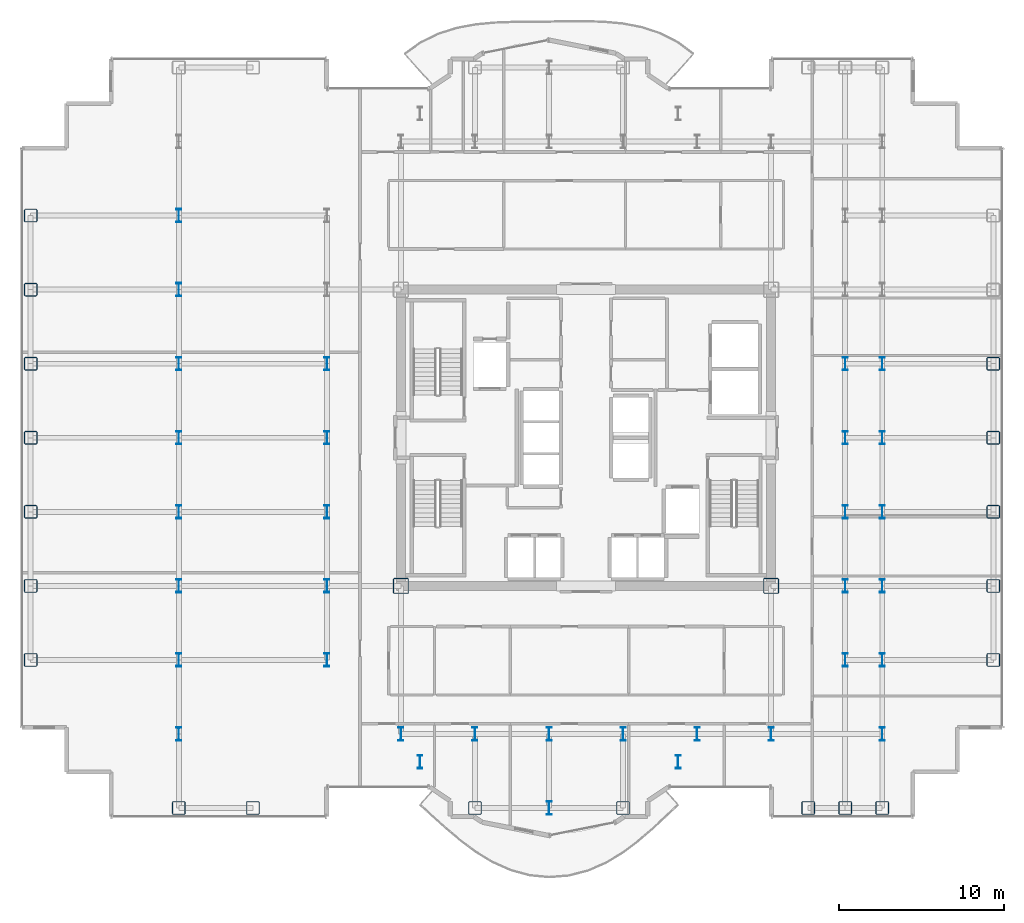
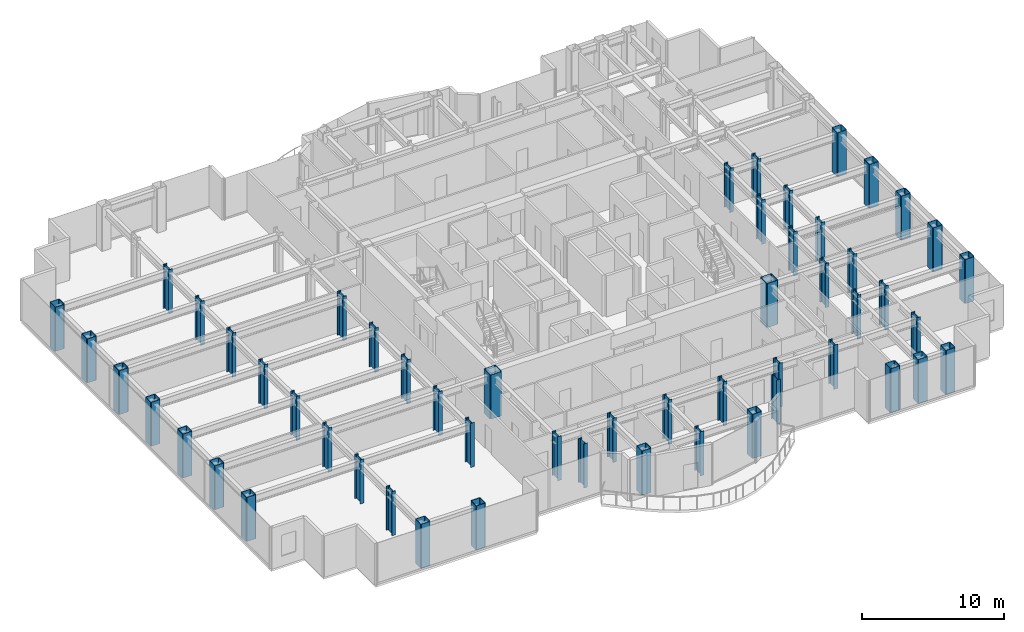
# One storey, part 1 of 23: 54 columns.
"""IFC4 building model written with IfcOpenShell, lengths in metres."""

from ifc_helpers import new_model, si_unit, direction, frame, origin, origin_2d, place, context, subcontext, project, spatial, hollow_rectangle, i_section, extrude, source, transform, mapped, material, material_profile, profile_set, type_object, element, save


model = new_model("IFC4")

# Units and contexts
model_context = context("Model", 3, precision=1e-05, world=origin(), true_north=direction((0.0, 1.0)))
body_context = subcontext(model_context, "Body", "Model", "MODEL_VIEW")
ifc_project = project(units=[si_unit("LENGTHUNIT", "METRE"), si_unit("AREAUNIT", "SQUARE_METRE"), si_unit("VOLUMEUNIT", "CUBIC_METRE"), si_unit("PLANEANGLEUNIT", "RADIAN"), si_unit("MASSUNIT", "GRAM", prefix="KILO")], contexts=[model_context])

# Site, building, storey
site_placement = place(None, origin())
site = spatial("IfcSite", under=ifc_project, at=site_placement, CompositionType="ELEMENT")
building_placement = place(site_placement, origin())
building = spatial("IfcBuilding", under=site, at=building_placement, Name="Nefas-Gora Pilgrimage Tower", CompositionType="ELEMENT")
storey_placement = place(building_placement, frame((0.0, 0.0, 156.39990234375)))
storey = spatial("IfcBuildingStorey", under=building, at=storey_placement, Name="L38", CompositionType="ELEMENT", Elevation=156.39990234375)

# Columns
ifc_material = material(Name="Steel S460", Category="steel")
ifc_material_profile_1 = material_profile(ifc_material, hollow_rectangle(XDim=0.949951171875, YDim=0.949951171875, WallThickness=0.044921875, InnerFilletRadius=0.044921875, OuterFilletRadius=0.090087890625, at=origin_2d()), Name="BOX 950x950x45")
ifc_profile_set_1 = profile_set([ifc_material_profile_1], Name="Steel S460")
column_type_1 = type_object("IfcColumnType", Name="COL-CORE-950", PredefinedType="COLUMN", material=ifc_profile_set_1)
shared_shape_1 = source(origin(), body_context, "Body", "SweptSolid", [
    extrude(hollow_rectangle(XDim=0.949951171875, YDim=0.949951171875, WallThickness=0.044921875, InnerFilletRadius=0.044921875, OuterFilletRadius=0.090087890625, at=origin_2d()), origin(), (0.0, 0.0, 1.0), 3.800048828125),
])
for number, where, z_axis, x_axis, name in (
    (1, (-11.25, -9.0, 0.0), (0.0, 0.0, 1.0), (1.0, 0.0, 0.0), "L38 Tower Column CC-Z1.29"),
    (2, (11.25, -9.0, 0.0), (0.0, 0.0, 1.0), (1.0, 0.0, 0.0), "L38 Tower Column CC-Z1.51"),
):
    element("IfcColumn", number, at=place(storey_placement, frame(where, z_axis=z_axis, x_axis=x_axis)), inside=storey, type_object=column_type_1, Name=name, PredefinedType="COLUMN", context=body_context, shape_type="MappedRepresentation", body=[
        mapped(shared_shape_1, transform((0.0, 0.0, 0.0), x_axis=(1.0, 0.0, 0.0), y_axis=(0.0, 1.0, 0.0), z_axis=(0.0, 0.0, 1.0), scale=1.0)),
    ])
ifc_material_profile_2 = material_profile(ifc_material, hollow_rectangle(XDim=0.800048828125, YDim=0.800048828125, WallThickness=0.0400390625, InnerFilletRadius=0.0400390625, OuterFilletRadius=0.080078125, at=origin_2d()), Name="BOX 800x800x40")
ifc_profile_set_2 = profile_set([ifc_material_profile_2], Name="Steel S460")
column_type_2 = type_object("IfcColumnType", Name="COL-TUBE-800", PredefinedType="COLUMN", material=ifc_profile_set_2)
shared_shape_2 = source(origin(), body_context, "Body", "SweptSolid", [
    extrude(hollow_rectangle(XDim=0.800048828125, YDim=0.800048828125, WallThickness=0.0400390625, InnerFilletRadius=0.0400390625, OuterFilletRadius=0.080078125, at=origin_2d()), origin(), (0.0, 0.0, 1.0), 3.800048828125),
])
for number, where, z_axis, x_axis, name in (
    (3, (-33.75, -13.5, 0.0), (0.0, 0.0, 1.0), (1.0, 0.0, 0.0), "L38 Tower Column C-Z2.1"),
    (4, (-33.75, -9.0, 0.0), (0.0, 0.0, 1.0), (1.0, 0.0, 0.0), "L38 Tower Column C-Z2.2"),
    (5, (-33.75, -4.5, 0.0), (0.0, 0.0, 1.0), (1.0, 0.0, 0.0), "L38 Tower Column C-Z2.3"),
    (6, (-33.75, 0.0, 0.0), (0.0, 0.0, 1.0), (1.0, 0.0, 0.0), "L38 Tower Column C-Z2.4"),
    (7, (-33.75, 4.5, 0.0), (0.0, 0.0, 1.0), (1.0, 0.0, 0.0), "L38 Tower Column C-Z2.5"),
    (8, (-33.75, 9.0, 0.0), (0.0, 0.0, 1.0), (1.0, 0.0, 0.0), "L38 Tower Column C-Z2.6"),
    (9, (-33.75, 13.5, 0.0), (0.0, 0.0, 1.0), (1.0, 0.0, 0.0), "L38 Tower Column C-Z2.7"),
    (10, (-24.75, -22.5, 0.0), (0.0, 0.0, 1.0), (1.0, 0.0, 0.0), "L38 Tower Column C-Z2.8"),
    (11, (-20.25, -22.5, 0.0), (0.0, 0.0, 1.0), (1.0, 0.0, 0.0), "L38 Tower Column C-Z2.19"),
    (12, (-6.75, -22.5, 0.0), (0.0, 0.0, 1.0), (1.0, 0.0, 0.0), "L38 Tower Column C-Z2.34"),
    (13, (2.25, -22.5, 0.0), (0.0, 0.0, 1.0), (1.0, 0.0, 0.0), "L38 Tower Column C-Z2.42"),
    (14, (13.5, -22.5, 0.0), (0.0, 0.0, 1.0), (1.0, 0.0, 0.0), "L38 Tower Column C-Z2.54"),
    (15, (15.75, -22.5, 0.0), (0.0, 0.0, 1.0), (1.0, 0.0, 0.0), "L38 Tower Column C-Z2.56"),
    (16, (18.0, -22.5, 0.0), (0.0, 0.0, 1.0), (1.0, 0.0, 0.0), "L38 Tower Column C-Z2.65"),
    (17, (24.75, -13.5, 0.0), (0.0, 0.0, 1.0), (1.0, 0.0, 0.0), "L38 Tower Column C-Z2.76"),
    (18, (24.75, -9.0, 0.0), (0.0, 0.0, 1.0), (1.0, 0.0, 0.0), "L38 Tower Column C-Z2.77"),
    (19, (24.75, -4.5, 0.0), (0.0, 0.0, 1.0), (1.0, 0.0, 0.0), "L38 Tower Column C-Z2.78"),
    (20, (24.75, 0.0, 0.0), (0.0, 0.0, 1.0), (1.0, 0.0, 0.0), "L38 Tower Column C-Z2.79"),
    (21, (24.75, 4.5, 0.0), (0.0, 0.0, 1.0), (1.0, 0.0, 0.0), "L38 Tower Column C-Z2.80"),
):
    element("IfcColumn", number, at=place(storey_placement, frame(where, z_axis=z_axis, x_axis=x_axis)), inside=storey, type_object=column_type_2, Name=name, PredefinedType="COLUMN", context=body_context, shape_type="MappedRepresentation", body=[
        mapped(shared_shape_2, transform((0.0, 0.0, 0.0), x_axis=(1.0, 0.0, 0.0), y_axis=(0.0, 1.0, 0.0), z_axis=(0.0, 0.0, 1.0), scale=1.0)),
    ])
ifc_material_profile_3 = material_profile(ifc_material, i_section(OverallWidth=0.302978515625, OverallDepth=0.81396484375, WebThickness=0.02099609375, FlangeThickness=0.0400390625, FilletRadius=0.030029296875, at=origin_2d()), Name="HEM 800")
ifc_profile_set_3 = profile_set([ifc_material_profile_3], Name="Steel S460")
column_type_3 = type_object("IfcColumnType", Name="COL-WEB-HEM800", PredefinedType="COLUMN", material=ifc_profile_set_3)
shared_shape_3 = source(origin(), body_context, "Body", "SweptSolid", [
    extrude(i_section(OverallWidth=0.302978515625, OverallDepth=0.81396484375, WebThickness=0.02099609375, FlangeThickness=0.0400390625, FilletRadius=0.030029296875, at=origin_2d()), origin(), (0.0, 0.0, 1.0), 3.800048828125),
])
for number, where, z_axis, x_axis, name in (
    (22, (-24.75, -18.0, 0.0), (0.0, 0.0, 1.0), (1.0, 0.0, 0.0), "L38 Tower Column CW-02.9"),
    (23, (-24.75, -13.5, 0.0), (0.0, 0.0, 1.0), (1.0, 0.0, 0.0), "L38 Tower Column CW-02.10"),
    (24, (-24.75, -9.0, 0.0), (0.0, 0.0, 1.0), (1.0, 0.0, 0.0), "L38 Tower Column CW-02.11"),
    (25, (-24.75, -4.5, 0.0), (0.0, 0.0, 1.0), (1.0, 0.0, 0.0), "L38 Tower Column CW-02.12"),
    (26, (-24.75, 0.0, 0.0), (0.0, 0.0, 1.0), (1.0, 0.0, 0.0), "L38 Tower Column CW-02.13"),
    (27, (-24.75, 4.5, 0.0), (0.0, 0.0, 1.0), (1.0, 0.0, 0.0), "L38 Tower Column CW-02.14"),
    (28, (-24.75, 9.0, 0.0), (0.0, 0.0, 1.0), (1.0, 0.0, 0.0), "L38 Tower Column CW-02.15"),
    (29, (-24.75, 13.5, 0.0), (0.0, 0.0, 1.0), (1.0, 0.0, 0.0), "L38 Tower Column CW-02.16"),
    (30, (-15.75, -13.5, 0.0), (0.0, 0.0, 1.0), (1.0, 0.0, 0.0), "L38 Tower Column CW-02.21"),
    (31, (-15.75, -9.0, 0.0), (0.0, 0.0, 1.0), (1.0, 0.0, 0.0), "L38 Tower Column CW-02.22"),
    (32, (-15.75, -4.5, 0.0), (0.0, 0.0, 1.0), (1.0, 0.0, 0.0), "L38 Tower Column CW-02.23"),
    (33, (-15.75, 0.0, 0.0), (0.0, 0.0, 1.0), (1.0, 0.0, 0.0), "L38 Tower Column CW-02.24"),
    (34, (-15.75, 4.5, 0.0), (0.0, 0.0, 1.0), (1.0, 0.0, 0.0), "L38 Tower Column CW-02.25"),
    (35, (-11.25, -18.0, 0.0), (0.0, 0.0, 1.0), (1.0, 0.0, 0.0), "L38 Tower Column CW-02.28"),
    (36, (-10.091064453125, -19.696044921875, 0.0), (0.0, 0.0, 1.0), (1.0, 0.0, 0.0), "L38 Tower Column CW-02.32"),
    (37, (-6.75, -18.0, 0.0), (0.0, 0.0, 1.0), (1.0, 0.0, 0.0), "L38 Tower Column CW-02.35"),
    (38, (-2.25, -22.5, 0.0), (0.0, 0.0, 1.0), (1.0, 0.0, 0.0), "L38 Tower Column CW-02.38"),
    (39, (-2.25, -18.0, 0.0), (0.0, 0.0, 1.0), (1.0, 0.0, 0.0), "L38 Tower Column CW-02.39"),
    (40, (2.25, -18.0, 0.0), (0.0, 0.0, 1.0), (1.0, 0.0, 0.0), "L38 Tower Column CW-02.43"),
    (41, (5.591064453125, -19.696044921875, 0.0), (0.0, 0.0, 1.0), (1.0, 0.0, 0.0), "L38 Tower Column CW-02.46"),
    (42, (6.75, -18.0, 0.0), (0.0, 0.0, 1.0), (1.0, 0.0, 0.0), "L38 Tower Column CW-02.48"),
    (43, (11.25, -18.0, 0.0), (0.0, 0.0, 1.0), (1.0, 0.0, 0.0), "L38 Tower Column CW-02.50"),
    (44, (15.75, -13.5, 0.0), (0.0, 0.0, 1.0), (1.0, 0.0, 0.0), "L38 Tower Column CW-02.57"),
    (45, (15.75, -9.0, 0.0), (0.0, 0.0, 1.0), (1.0, 0.0, 0.0), "L38 Tower Column CW-02.58"),
    (46, (15.75, -4.5, 0.0), (0.0, 0.0, 1.0), (1.0, 0.0, 0.0), "L38 Tower Column CW-02.59"),
    (47, (15.75, 0.0, 0.0), (0.0, 0.0, 1.0), (1.0, 0.0, 0.0), "L38 Tower Column CW-02.60"),
    (48, (15.75, 4.5, 0.0), (0.0, 0.0, 1.0), (1.0, 0.0, 0.0), "L38 Tower Column CW-02.61"),
    (49, (18.0, -18.0, 0.0), (0.0, 0.0, 1.0), (1.0, 0.0, 0.0), "L38 Tower Column CW-02.66"),
    (50, (18.0, -13.5, 0.0), (0.0, 0.0, 1.0), (1.0, 0.0, 0.0), "L38 Tower Column CW-02.67"),
    (51, (18.0, -9.0, 0.0), (0.0, 0.0, 1.0), (1.0, 0.0, 0.0), "L38 Tower Column CW-02.68"),
    (52, (18.0, -4.5, 0.0), (0.0, 0.0, 1.0), (1.0, 0.0, 0.0), "L38 Tower Column CW-02.69"),
    (53, (18.0, 0.0, 0.0), (0.0, 0.0, 1.0), (1.0, 0.0, 0.0), "L38 Tower Column CW-02.70"),
    (54, (18.0, 4.5, 0.0), (0.0, 0.0, 1.0), (1.0, 0.0, 0.0), "L38 Tower Column CW-02.71"),
):
    element("IfcColumn", number, at=place(storey_placement, frame(where, z_axis=z_axis, x_axis=x_axis)), inside=storey, type_object=column_type_3, Name=name, PredefinedType="COLUMN", context=body_context, shape_type="MappedRepresentation", body=[
        mapped(shared_shape_3, transform((0.0, 0.0, 0.0), x_axis=(1.0, 0.0, 0.0), y_axis=(0.0, 1.0, 0.0), z_axis=(0.0, 0.0, 1.0), scale=1.0)),
    ])

save(model, "model.ifc")
